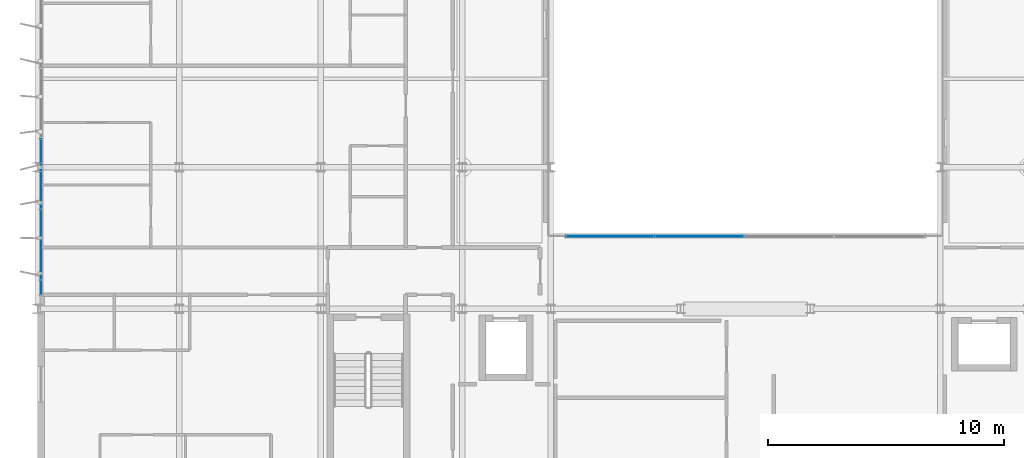
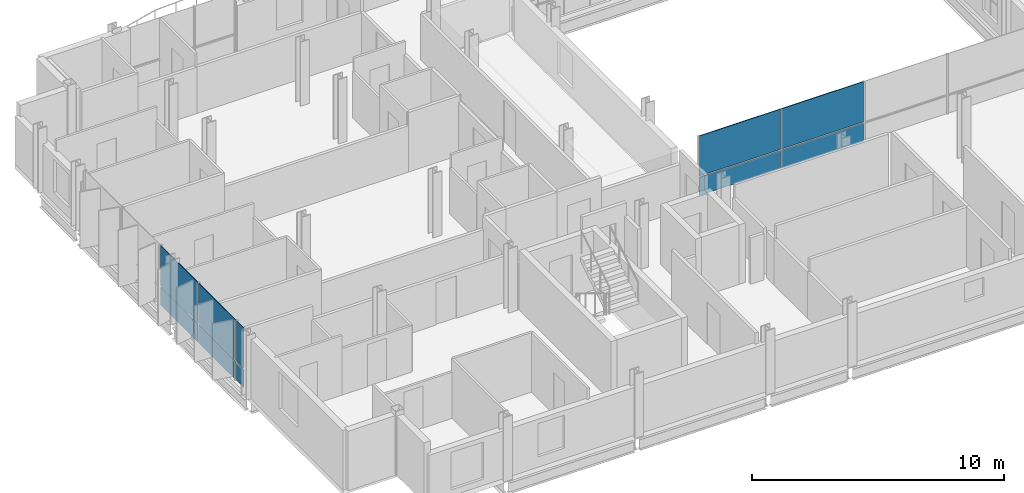
# One storey, part 24 of 38: 10 plates, 2 elements without a shape of their own.
"""IFC4 building model written with IfcOpenShell, lengths in metres."""

from ifc_helpers import new_model, si_unit, direction, frame, origin, origin_2d, place, context, subcontext, project, spatial, rectangle, extrude, material, layer, layer_set, type_object, element, aggregate, save


model = new_model("IFC4")

# Units and contexts
model_context = context("Model", 3, precision=1e-05, world=origin(), true_north=direction((0.0, 1.0)))
body_context = subcontext(model_context, "Body", "Model", "MODEL_VIEW")
ifc_project = project(units=[si_unit("LENGTHUNIT", "METRE"), si_unit("AREAUNIT", "SQUARE_METRE"), si_unit("VOLUMEUNIT", "CUBIC_METRE"), si_unit("PLANEANGLEUNIT", "RADIAN"), si_unit("MASSUNIT", "GRAM", prefix="KILO")], contexts=[model_context])

# Site, building, storey
site_placement = place(None, origin())
site = spatial("IfcSite", under=ifc_project, at=site_placement, CompositionType="ELEMENT")
building_placement = place(site_placement, origin())
building = spatial("IfcBuilding", under=site, at=building_placement, Name="Brevholm Reach", CompositionType="ELEMENT")
storey_placement = place(building_placement, frame((0.0, 0.0, 141.800048828125)))
storey = spatial("IfcBuildingStorey", under=building, at=storey_placement, Name="L42", CompositionType="ELEMENT", Elevation=141.800048828125)

# Curtain wall, plates
ifc_material_1 = material(Name="Dark Anodised Aluminium 6063-T6 and Solar-Control Glass", Category="aluminium")
ifc_layer_1 = layer(ifc_material_1, 0.14990234375)
ifc_layer_set_1 = layer_set([ifc_layer_1], Name="Dark Anodised Aluminium 6063-T6 and Solar-Control Glass")
curtain_wall_type_1 = type_object("IfcCurtainWallType", Name="CW-01", PredefinedType="NOTDEFINED", material=ifc_layer_set_1)
curtain_wall_1_placement = place(storey_placement, origin())
curtain_wall_1 = element("IfcCurtainWall", 1, at=curtain_wall_1_placement, inside=storey, type_object=curtain_wall_type_1, Name="L42 Curtain Wall CW-01", PredefinedType="NOTDEFINED")
ifc_material_2 = material(Name="Dark Solar-Control Double-Glazed IGU Glass", Category="glass")
ifc_layer_2 = layer(ifc_material_2, 0.028076171875)
ifc_layer_set_2 = layer_set([ifc_layer_2], Name="Dark Solar-Control Double-Glazed IGU Glass")
plate_type_1 = type_object("IfcPlateType", Name="CWP-GLZ-28", PredefinedType="CURTAIN_PANEL", material=ifc_layer_set_2)
plate_1_placement = place(storey_placement, frame((0.14990234375, 15.719970703125, 0.0), z_axis=(0.0, 0.0, 1.0), x_axis=(0.0, -1.0, 0.0)))
plate_1 = element("IfcPlate", 2, at=plate_1_placement, type_object=plate_type_1, Name="CP-01 Glazing Panel 3.1", PredefinedType="CURTAIN_PANEL", context=body_context, shape_type="SweptSolid", body=[
    extrude(rectangle(XDim=2.93505859375, YDim=0.028076171875, at=origin_2d()), origin(), (0.0, 0.0, 1.0), 0.867431640625),
])
plate_2_placement = place(storey_placement, frame((0.14990234375, 15.719970703125, 0.9326171875), z_axis=(0.0, 0.0, 1.0), x_axis=(0.0, -1.0, 0.0)))
plate_2 = element("IfcPlate", 3, at=plate_2_placement, type_object=plate_type_1, Name="CP-01 Glazing Panel 3.2", PredefinedType="CURTAIN_PANEL", context=body_context, shape_type="SweptSolid", body=[
    extrude(rectangle(XDim=2.93505859375, YDim=0.028076171875, at=origin_2d()), origin(), (0.0, 0.0, 1.0), 1.947509765625),
])
plate_3_placement = place(storey_placement, frame((0.14990234375, 12.719970703125, 0.0), z_axis=(0.0, 0.0, 1.0), x_axis=(0.0, -1.0, 0.0)))
plate_3 = element("IfcPlate", 4, at=plate_3_placement, type_object=plate_type_1, Name="CP-01 Glazing Panel 4.1", PredefinedType="CURTAIN_PANEL", context=body_context, shape_type="SweptSolid", body=[
    extrude(rectangle(XDim=2.93505859375, YDim=0.028076171875, at=origin_2d()), origin(), (0.0, 0.0, 1.0), 0.867431640625),
])
plate_4_placement = place(storey_placement, frame((0.14990234375, 12.719970703125, 0.9326171875), z_axis=(0.0, 0.0, 1.0), x_axis=(0.0, -1.0, 0.0)))
plate_4 = element("IfcPlate", 5, at=plate_4_placement, type_object=plate_type_1, Name="CP-01 Glazing Panel 4.2", PredefinedType="CURTAIN_PANEL", context=body_context, shape_type="SweptSolid", body=[
    extrude(rectangle(XDim=2.93505859375, YDim=0.028076171875, at=origin_2d()), origin(), (0.0, 0.0, 1.0), 1.947509765625),
])
plate_5_placement = place(storey_placement, frame((0.14990234375, 10.9013671875, 0.0), z_axis=(0.0, 0.0, 1.0), x_axis=(0.0, -1.0, 0.0)))
plate_5 = element("IfcPlate", 6, at=plate_5_placement, type_object=plate_type_1, Name="CP-01 Glazing Panel 5.1", PredefinedType="CURTAIN_PANEL", context=body_context, shape_type="SweptSolid", body=[
    extrude(rectangle(XDim=0.572509765625, YDim=0.028076171875, at=origin_2d()), origin(), (0.0, 0.0, 1.0), 0.867431640625),
])
plate_6_placement = place(storey_placement, frame((0.14990234375, 10.9013671875, 0.9326171875), z_axis=(0.0, 0.0, 1.0), x_axis=(0.0, -1.0, 0.0)))
plate_6 = element("IfcPlate", 7, at=plate_6_placement, type_object=plate_type_1, Name="CP-01 Glazing Panel 5.2", PredefinedType="CURTAIN_PANEL", context=body_context, shape_type="SweptSolid", body=[
    extrude(rectangle(XDim=0.572509765625, YDim=0.028076171875, at=origin_2d()), origin(), (0.0, 0.0, 1.0), 1.947509765625),
])
aggregate(curtain_wall_1, [plate_1, plate_2, plate_3, plate_4, plate_5, plate_6])

ifc_material_3 = material(Name="Dark Anodised Aluminium 6063-T6 and Solar-Control Glass", Category="aluminium")
ifc_layer_3 = layer(ifc_material_3, 0.139892578125)
ifc_layer_set_3 = layer_set([ifc_layer_3], Name="Dark Anodised Aluminium 6063-T6 and Solar-Control Glass")
curtain_wall_type_2 = type_object("IfcCurtainWallType", Name="CW-02", PredefinedType="NOTDEFINED", material=ifc_layer_set_3)
curtain_wall_2_placement = place(storey_placement, origin())
curtain_wall_2 = element("IfcCurtainWall", 8, at=curtain_wall_2_placement, inside=storey, type_object=curtain_wall_type_2, Name="L42 Curtain Wall CW-02", PredefinedType="NOTDEFINED")
ifc_material_4 = material(Name="Low-Iron Laminated Acoustic Glass", Category="glass")
ifc_layer_4 = layer(ifc_material_4, 0.035888671875)
ifc_layer_set_4 = layer_set([ifc_layer_4], Name="Low-Iron Laminated Acoustic Glass")
plate_type_2 = type_object("IfcPlateType", Name="CWP-GLZ-36", PredefinedType="CURTAIN_PANEL", material=ifc_layer_set_4)
plate_7_placement = place(storey_placement, frame((24.264892578125, 13.080078125, 0.0), z_axis=(0.0, 0.0, 1.0), x_axis=(1.0, 0.0, 0.0)))
plate_7 = element("IfcPlate", 9, at=plate_7_placement, type_object=plate_type_2, Name="CP-02 Glazing Panel 1.1", PredefinedType="CURTAIN_PANEL", context=body_context, shape_type="SweptSolid", body=[
    extrude(rectangle(XDim=3.7099609375, YDim=0.035888671875, at=origin_2d()), origin(), (0.0, 0.0, 1.0), 0.8701171875),
])
plate_8_placement = place(storey_placement, frame((24.264892578125, 13.080078125, 0.93017578125), z_axis=(0.0, 0.0, 1.0), x_axis=(1.0, 0.0, 0.0)))
plate_8 = element("IfcPlate", 10, at=plate_8_placement, type_object=plate_type_2, Name="CP-02 Glazing Panel 1.2", PredefinedType="CURTAIN_PANEL", context=body_context, shape_type="SweptSolid", body=[
    extrude(rectangle(XDim=3.7099609375, YDim=0.035888671875, at=origin_2d()), origin(), (0.0, 0.0, 1.0), 1.949951171875),
])
plate_9_placement = place(storey_placement, frame((28.050048828125, 13.080078125, 0.0), z_axis=(0.0, 0.0, 1.0), x_axis=(1.0, 0.0, 0.0)))
plate_9 = element("IfcPlate", 11, at=plate_9_placement, type_object=plate_type_2, Name="CP-02 Glazing Panel 2.1", PredefinedType="CURTAIN_PANEL", context=body_context, shape_type="SweptSolid", body=[
    extrude(rectangle(XDim=3.739990234375, YDim=0.035888671875, at=origin_2d()), origin(), (0.0, 0.0, 1.0), 0.8701171875),
])
plate_10_placement = place(storey_placement, frame((28.050048828125, 13.080078125, 0.93017578125), z_axis=(0.0, 0.0, 1.0), x_axis=(1.0, 0.0, 0.0)))
plate_10 = element("IfcPlate", 12, at=plate_10_placement, type_object=plate_type_2, Name="CP-02 Glazing Panel 2.2", PredefinedType="CURTAIN_PANEL", context=body_context, shape_type="SweptSolid", body=[
    extrude(rectangle(XDim=3.739990234375, YDim=0.035888671875, at=origin_2d()), origin(), (0.0, 0.0, 1.0), 1.949951171875),
])
aggregate(curtain_wall_2, [plate_7, plate_8, plate_9, plate_10])

save(model, "model.ifc")
